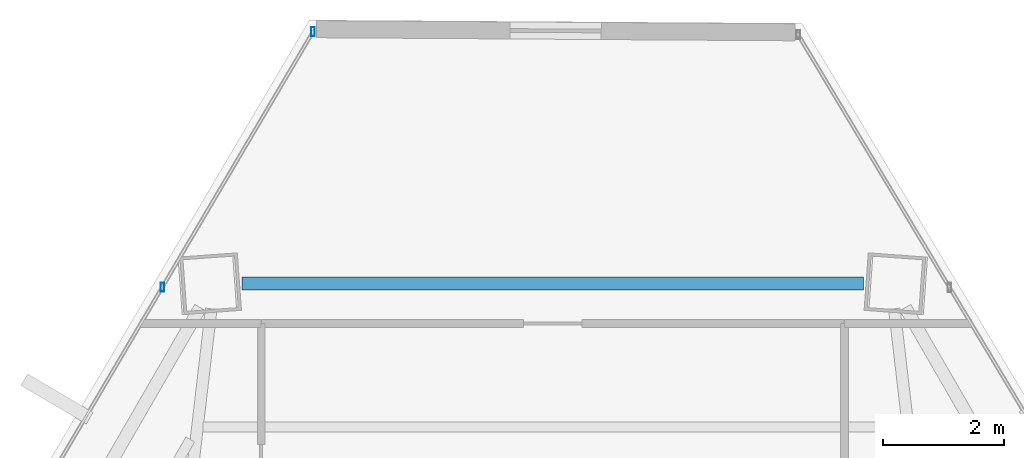
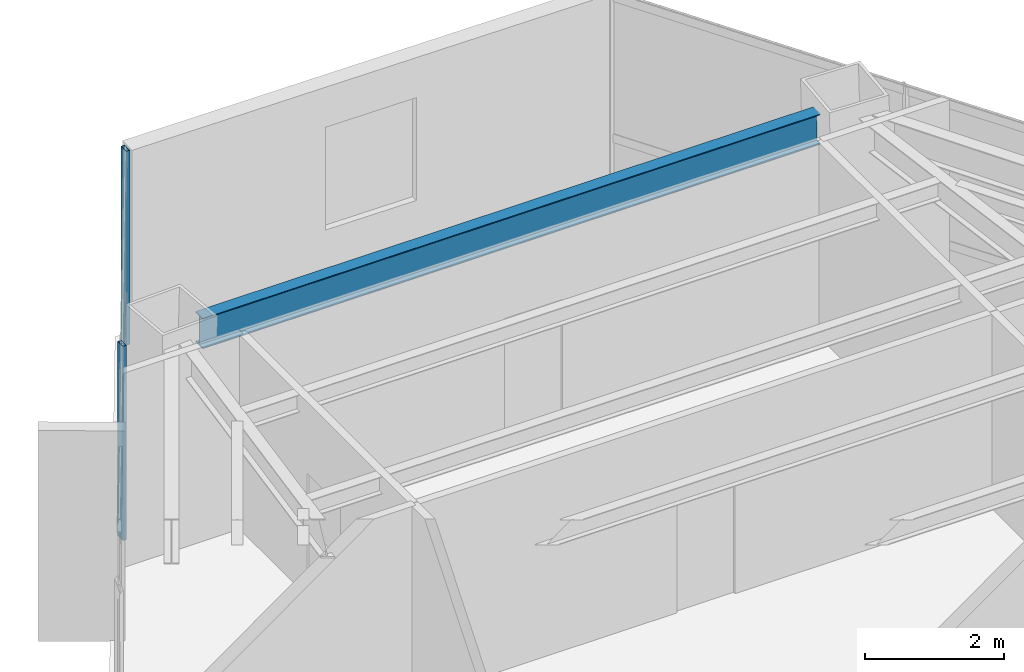
# One storey, part 30 of 41: 2 members, 1 beam, 1 element without a shape of its own.
"""IFC4 building model written with IfcOpenShell, lengths in metres."""

from ifc_helpers import new_model, si_unit, direction, frame, origin, origin_2d, place, context, subcontext, project, spatial, hollow_rectangle, i_section, extrude, source, transform, mapped, material, material_profile, profile_set, type_object, type_shapes, element, aggregate, save


model = new_model("IFC4")

# Units and contexts
model_context = context("Model", 3, precision=1e-05, world=origin(), true_north=direction((0.0, 1.0)))
body_context = subcontext(model_context, "Body", "Model", "MODEL_VIEW")
ifc_project = project(units=[si_unit("LENGTHUNIT", "METRE"), si_unit("AREAUNIT", "SQUARE_METRE"), si_unit("VOLUMEUNIT", "CUBIC_METRE"), si_unit("PLANEANGLEUNIT", "RADIAN"), si_unit("MASSUNIT", "GRAM", prefix="KILO")], contexts=[model_context])

# Site, building, storey
site_placement = place(None, origin())
site = spatial("IfcSite", under=ifc_project, at=site_placement, CompositionType="ELEMENT")
building_placement = place(site_placement, origin())
building = spatial("IfcBuilding", under=site, at=building_placement, Name="Caelisora Broadcast Tower", CompositionType="ELEMENT")
storey_placement = place(building_placement, frame((0.0, 0.0, 180.39990234375)))
storey = spatial("IfcBuildingStorey", under=building, at=storey_placement, Name="L47", CompositionType="ELEMENT", Elevation=180.39990234375)

# Beam
ifc_material_1 = material(Name="Steel Grade 350 (AS/NZS 3679.1)", Category="steel")
ifc_material_profile_1 = material_profile(ifc_material_1, i_section(OverallWidth=0.208984375, OverallDepth=0.532958984375, WebThickness=0.01025390625, FlangeThickness=0.015625, at=origin_2d()), Name="Steel Grade 350 (AS/NZS 3679.1)")
ifc_profile_set_1 = profile_set([ifc_material_profile_1], Name="Steel Grade 350 (AS/NZS 3679.1)")
beam_type = type_object("IfcBeamType", Name="PG05", PredefinedType="BEAM", material=ifc_profile_set_1)
shared_shape_1 = source(origin(), body_context, "Body", "SweptSolid", [
    extrude(i_section(OverallWidth=0.208984375, OverallDepth=0.532958984375, WebThickness=0.01025390625, FlangeThickness=0.015625, at=origin_2d()), origin(), (0.0, 0.0, 1.0), 10.228515625),
])
type_shapes(beam_type, [shared_shape_1])
beam_placement = place(storey_placement, frame((43.1142578125, 46.54736328125, 3.133544921875), z_axis=(-1.0, 0.0, 0.0), x_axis=(0.0, -1.0, 0.0)))
element("IfcBeam", 1, at=beam_placement, inside=storey, type_object=beam_type, Name="L47 beam PG05", PredefinedType="BEAM", context=body_context, shape_type="MappedRepresentation", body=[
    mapped(shared_shape_1, transform((0.0, 0.0, 0.0), scale=1.0)),
])

# Curtain wall, members
ifc_material_2 = material(Name="Unitised Aluminium and Low-E Glass Curtain Wall", Category="glass")
curtain_wall_type = type_object("IfcCurtainWallType", Name="CW-Z3", PredefinedType="NOTDEFINED", material=ifc_material_2)
curtain_wall_placement = place(storey_placement, origin())
curtain_wall = element("IfcCurtainWall", 2, at=curtain_wall_placement, inside=storey, type_object=curtain_wall_type, Name="L47 curtain wall CW-Z3", PredefinedType="NOTDEFINED")
ifc_material_3 = material(Name="Aluminium 6063-T6 Anodised Terracotta Bronze", Category="aluminium")
ifc_material_profile_2 = material_profile(ifc_material_3, hollow_rectangle(XDim=0.06005859375, YDim=0.14990234375, WallThickness=0.00341796875, at=origin_2d()), Name="Aluminium 6063-T6 Anodised Terracotta Bronze")
ifc_profile_set_2 = profile_set([ifc_material_profile_2], Name="Aluminium 6063-T6 Anodised Terracotta Bronze")
member_type = type_object("IfcMemberType", Name="CWM-03", PredefinedType="MULLION", material=ifc_profile_set_2)
shared_shape_2 = source(origin(), body_context, "Body", "SweptSolid", [
    extrude(hollow_rectangle(XDim=0.06005859375, YDim=0.14990234375, WallThickness=0.00341796875, at=origin_2d()), origin(), (0.0, 0.0, 1.0), 3.400146484375),
])
type_shapes(member_type, [shared_shape_2])
member_1_placement = place(storey_placement, frame((31.572998046875, 46.486572265625, 0.0), z_axis=(0.0, 0.0, 1.0), x_axis=(1.0, 0.0, 0.0)))
member_1 = element("IfcMember", 3, at=member_1_placement, type_object=member_type, Name="L47-CW-B11 mullion #2", PredefinedType="MULLION", context=body_context, shape_type="MappedRepresentation", body=[
    mapped(shared_shape_2, transform((0.0, 0.0, 0.0), scale=1.0)),
])
member_2_placement = place(storey_placement, frame((34.052490234375, 50.68994140625, 0.0), z_axis=(0.0, 0.0, 1.0), x_axis=(1.0, 0.0, 0.0)))
member_2 = element("IfcMember", 4, at=member_2_placement, type_object=member_type, Name="L47-CW-B11 mullion #3", PredefinedType="MULLION", context=body_context, shape_type="MappedRepresentation", body=[
    mapped(shared_shape_2, transform((0.0, 0.0, 0.0), scale=1.0)),
])
aggregate(curtain_wall, [member_1, member_2])

save(model, "model.ifc")
